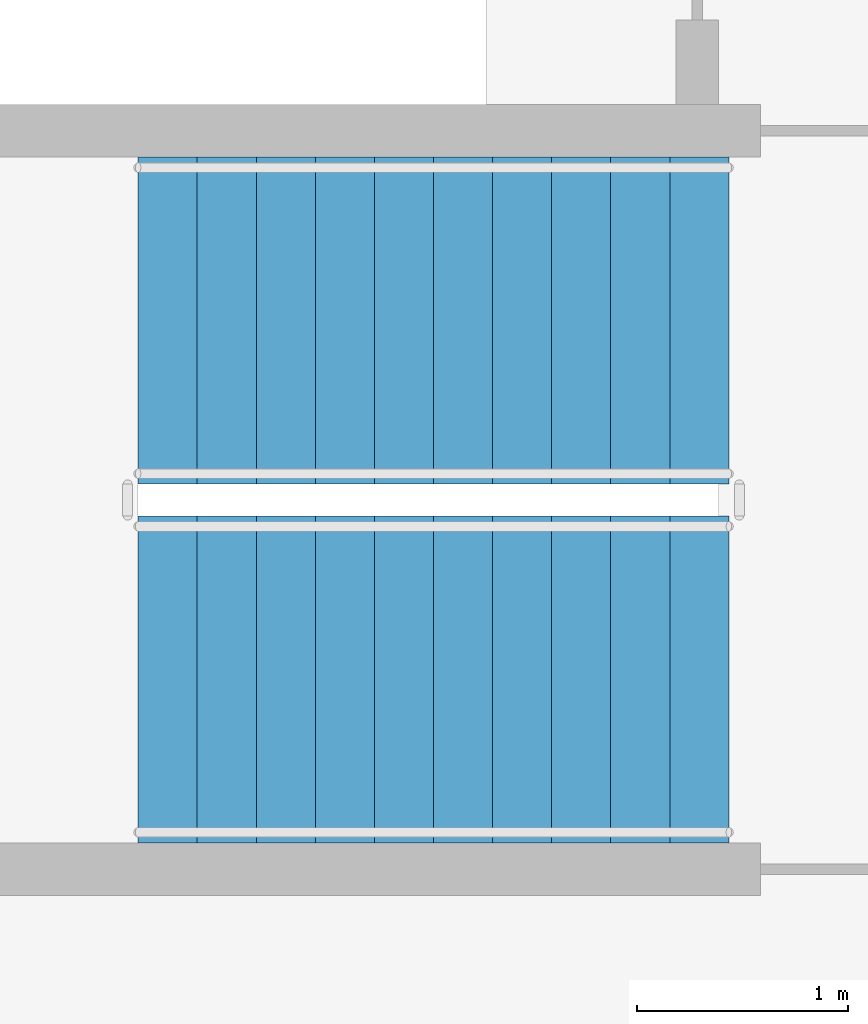
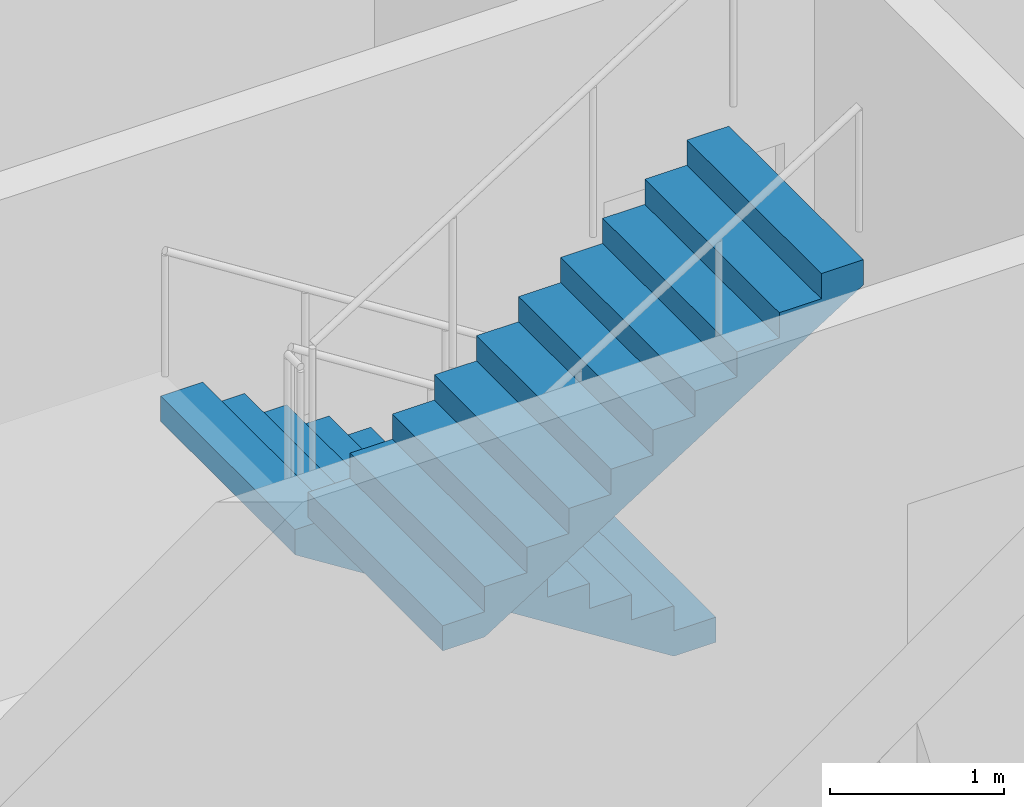
# One storey, part 9 of 14: 2 stair flights, 1 element without a shape of its own.
"""IFC4 building model written with IfcOpenShell, lengths in metres."""

from ifc_helpers import new_model, si_unit, direction, frame, origin, place, context, subcontext, project, spatial, polyline, outline, extrude, material, type_object, element, aggregate, save


model = new_model("IFC4")

# Units and contexts
model_context = context("Model", 3, precision=1e-05, world=origin(), true_north=direction((0.0, 1.0)))
body_context = subcontext(model_context, "Body", "Model", "MODEL_VIEW")
ifc_project = project(units=[si_unit("LENGTHUNIT", "METRE"), si_unit("AREAUNIT", "SQUARE_METRE"), si_unit("VOLUMEUNIT", "CUBIC_METRE"), si_unit("PLANEANGLEUNIT", "RADIAN"), si_unit("MASSUNIT", "GRAM", prefix="KILO")], contexts=[model_context])

# Site, building, storey
site_placement = place(None, origin())
site = spatial("IfcSite", under=ifc_project, at=site_placement, CompositionType="ELEMENT")
building_placement = place(site_placement, origin())
building = spatial("IfcBuilding", under=site, at=building_placement, Name="Dhurran Vertical Campus", CompositionType="ELEMENT")
storey_placement = place(building_placement, frame((0.0, 0.0, 100.800048828125)))
storey = spatial("IfcBuildingStorey", under=building, at=storey_placement, Name="L24", CompositionType="ELEMENT", Elevation=100.800048828125)

# Stair, stair flights
ifc_material_1 = material(Name="Concrete C40/50", Category="concrete")
stair_type = type_object("IfcStairType", Name="co-ST-CORE", PredefinedType="HALF_TURN_STAIR", material=ifc_material_1)
stair_placement = place(storey_placement, origin())
stair = element("IfcStair", 1, at=stair_placement, inside=storey, type_object=stair_type, Name="L24 Protected exit stair ST2", PredefinedType="HALF_TURN_STAIR")
ifc_material_2 = material(Name="Concrete C40/50", Category="concrete")
stair_flight_type = type_object("IfcStairFlightType", Name="co-SFL-RC", PredefinedType="STRAIGHT", material=ifc_material_2)
stair_flight_1_placement = place(storey_placement, frame((11.10009765625, 9.875, 0.0), z_axis=(0.0, 0.0, 1.0), x_axis=(-1.0, 0.0, 0.0)))
stair_flight_1 = element("IfcStairFlight", 2, at=stair_flight_1_placement, type_object=stair_flight_type, Name="ST2 flight 1", NumberOfRisers=11, NumberOfTreads=10, PredefinedType="STRAIGHT", RiserHeight=0.177272727, TreadLength=0.28, context=body_context, shape_type="SweptSolid", body=[
    extrude(outline(polyline([(0.0, 0.0), (0.0, 0.17724609375), (0.280029296875, 0.17724609375), (0.280029296875, 0.3544921875), (0.56005859375, 0.3544921875), (0.56005859375, 0.53173828125), (0.840087890625, 0.53173828125), (0.840087890625, 0.708984375), (1.1201171875, 0.708984375), (1.1201171875, 0.886474609375), (1.39990234375, 0.886474609375), (1.39990234375, 1.063720703125), (1.679931640625, 1.063720703125), (1.679931640625, 1.240966796875), (1.9599609375, 1.240966796875), (1.9599609375, 1.418212890625), (2.239990234375, 1.418212890625), (2.239990234375, 1.595458984375), (2.52001953125, 1.595458984375), (2.52001953125, 1.772705078125), (2.800048828125, 1.772705078125), (2.800048828125, 1.949951171875), (2.800048828125, 1.59521484375), (0.2802734375, 0.0), (0.0, 0.0)])), frame((0.0, 0.77490234375, 0.0), z_axis=(0.0, -1.0, 0.0), x_axis=(1.0, 0.0, 0.0)), (0.0, 0.0, 1.0), 1.550048828125),
])
stair_flight_2_placement = place(storey_placement, frame((8.300048828125, 8.175048828125, 1.949951171875), z_axis=(0.0, 0.0, 1.0), x_axis=(1.0, 0.0, 0.0)))
stair_flight_2 = element("IfcStairFlight", 3, at=stair_flight_2_placement, type_object=stair_flight_type, Name="ST2 flight 2", NumberOfRisers=11, NumberOfTreads=10, PredefinedType="STRAIGHT", RiserHeight=0.177272727, TreadLength=0.28, context=body_context, shape_type="SweptSolid", body=[
    extrude(outline(polyline([(0.0, 0.0), (0.0, 0.17724609375), (0.280029296875, 0.17724609375), (0.280029296875, 0.3544921875), (0.56005859375, 0.3544921875), (0.56005859375, 0.53173828125), (0.840087890625, 0.53173828125), (0.840087890625, 0.708984375), (1.1201171875, 0.708984375), (1.1201171875, 0.886474609375), (1.39990234375, 0.886474609375), (1.39990234375, 1.063720703125), (1.679931640625, 1.063720703125), (1.679931640625, 1.240966796875), (1.9599609375, 1.240966796875), (1.9599609375, 1.418212890625), (2.239990234375, 1.418212890625), (2.239990234375, 1.595458984375), (2.52001953125, 1.595458984375), (2.52001953125, 1.772705078125), (2.800048828125, 1.772705078125), (2.800048828125, 1.949951171875), (2.800048828125, 1.59521484375), (0.2802734375, 0.0), (0.0, 0.0)])), frame((0.0, 0.77490234375, 0.0), z_axis=(0.0, -1.0, 0.0), x_axis=(1.0, 0.0, 0.0)), (0.0, 0.0, 1.0), 1.550048828125),
])
aggregate(stair, [stair_flight_1, stair_flight_2])

save(model, "model.ifc")
